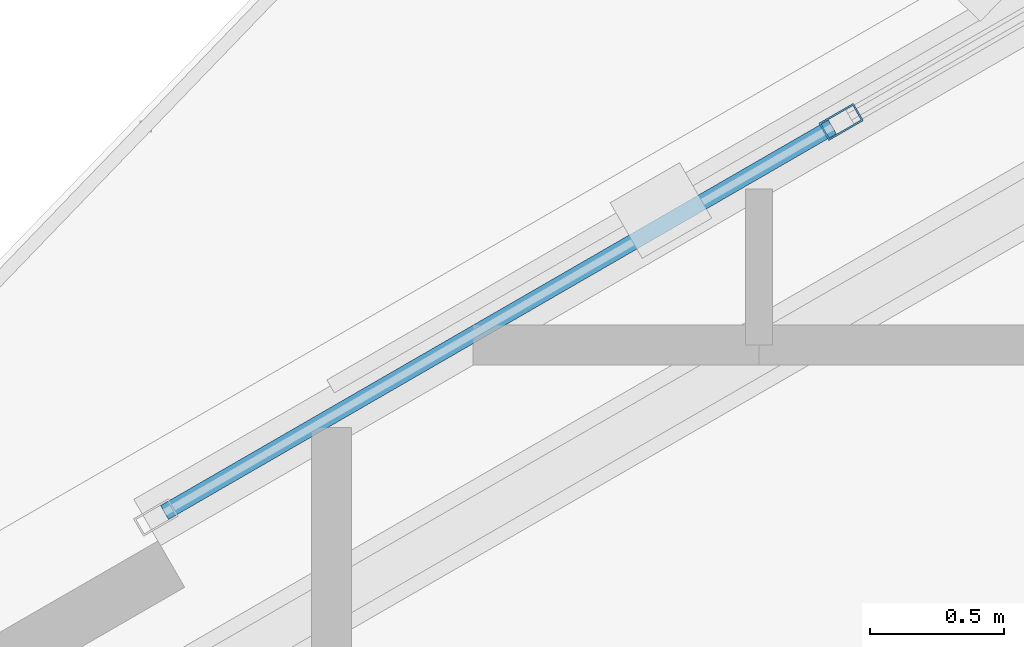
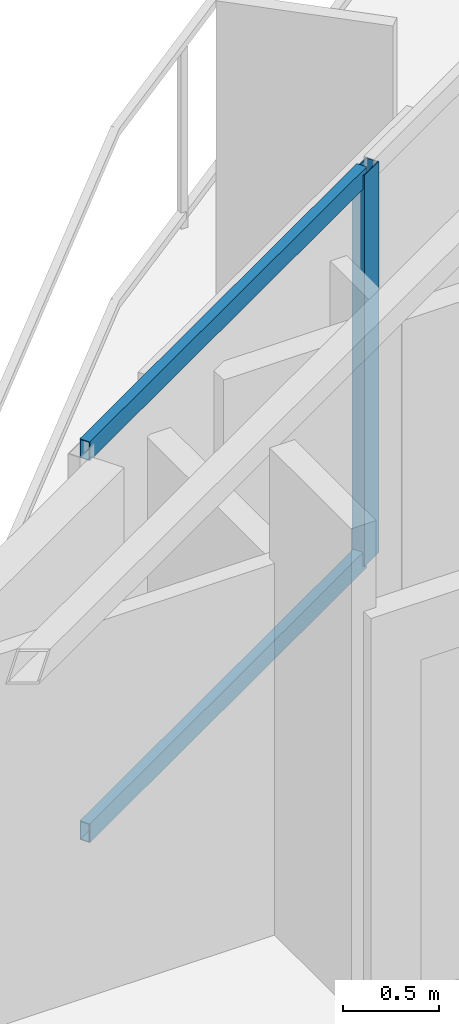
# One storey, part 8 of 22: 3 members, 1 element without a shape of its own.
"""IFC4 building model written with IfcOpenShell, lengths in metres."""

import ifcopenshell
import ifcopenshell.guid

model = None  # the IFC model being written
_history = None  # IfcOwnerHistory: only IFC2X3 demands one
_inside = {}  # id of a spatial element -> (the spatial element, [elements in it])
_under = {}  # id of a project, library or spatial element -> (it, [spatial elements below it])
_declared = {}  # id of a project -> (the project, [libraries it declares])
_typed = {}  # id of a type object -> (the type object, [elements of that type])
_made_of = {}  # id of a material, layer set ... -> (it, [elements and type objects made of it])


def new_model(schema):
    """Start an empty IFC model of exactly this schema.

    Asked for "IFC4X3", IfcOpenShell would pick the latest addendum, in which some entities
    have other attributes; the version numbers below select the first issue.
    IFC2X3 requires an IfcOwnerHistory on every rooted entity: one is made here for all.
    """
    global model, _history
    if schema == "IFC4X3":
        model = ifcopenshell.file(schema_version=(4, 3, 0, 0))
    else:
        model = ifcopenshell.file(schema=schema)
    _inside.clear()
    _under.clear()
    _declared.clear()
    _typed.clear()
    _made_of.clear()
    _history = None
    if model.schema == "IFC2X3":
        org = make("IfcOrganization", Name="unknown")
        user = make(
            "IfcPersonAndOrganization",
            ThePerson=make("IfcPerson", FamilyName="unknown"),
            TheOrganization=org,
        )
        app = make(
            "IfcApplication",
            ApplicationDeveloper=org,
            Version="unknown",
            ApplicationFullName="unknown",
            ApplicationIdentifier="unknown",
        )
        _history = make(
            "IfcOwnerHistory",
            OwningUser=user,
            OwningApplication=app,
            ChangeAction="ADDED",
            CreationDate=0,
        )
    return model


def make(cls, **values):
    """One entity of the class cls with the attributes given. An attribute that is None is left unset."""
    return model.create_entity(
        cls, **{name: value for name, value in values.items() if value is not None}
    )


def rooted(cls, **values):
    """An entity with a GlobalId (a new one), such as an element, a storey or a relation."""
    return make(cls, GlobalId=ifcopenshell.guid.new(), OwnerHistory=_history, **values)


def si_unit(unit_type, name, prefix=None):
    """IfcSIUnit, for example si_unit("LENGTHUNIT", "METRE", prefix="MILLI")."""
    return make("IfcSIUnit", UnitType=unit_type, Prefix=prefix, Name=name)


def assignment(units):
    """IfcUnitAssignment: the units of a project."""
    return None if units is None else make("IfcUnitAssignment", Units=units)


def point(xyz):
    """IfcCartesianPoint."""
    return None if xyz is None else make("IfcCartesianPoint", Coordinates=xyz)


def direction(xyz):
    """IfcDirection."""
    return None if xyz is None else make("IfcDirection", DirectionRatios=xyz)


def frame(location, z_axis=None, x_axis=None):
    """IfcAxis2Placement3D, a coordinate frame: its origin and axes. An axis left out is left unset."""
    return make(
        "IfcAxis2Placement3D",
        Location=point(location),
        Axis=direction(z_axis),
        RefDirection=direction(x_axis),
    )


def frame_2d(location, x_axis=None):
    """IfcAxis2Placement2D, a coordinate frame in the plane: its origin and x axis."""
    return make(
        "IfcAxis2Placement2D", Location=point(location), RefDirection=direction(x_axis)
    )


def origin():
    """The frame at (0, 0, 0) with its axes left unset."""
    return frame((0.0, 0.0, 0.0))


def origin_2d():
    """The frame at (0, 0) in the plane with its x axis left unset."""
    return frame_2d((0.0, 0.0))


def place(relative_to, where):
    """IfcLocalPlacement: puts the frame where relative to a parent placement (None: the world)."""
    return make(
        "IfcLocalPlacement", PlacementRelTo=relative_to, RelativePlacement=where
    )


def context(
    kind, dimensions, precision=None, world=None, true_north=None, identifier=None
):
    """IfcGeometricRepresentationContext, for example the 3D "Model" context."""
    return make(
        "IfcGeometricRepresentationContext",
        ContextIdentifier=identifier,
        ContextType=kind,
        CoordinateSpaceDimension=dimensions,
        Precision=precision,
        WorldCoordinateSystem=world,
        TrueNorth=true_north,
    )


def subcontext(parent, identifier, kind, view, scale=None):
    """IfcGeometricRepresentationSubContext, for example "Body" below "Model"."""
    return make(
        "IfcGeometricRepresentationSubContext",
        ContextIdentifier=identifier,
        ContextType=kind,
        ParentContext=parent,
        TargetScale=scale,
        TargetView=view,
    )


def project(units=None, contexts=None):
    """IfcProject with its units and contexts."""
    return rooted(
        "IfcProject",
        Name="project",
        RepresentationContexts=contexts,
        UnitsInContext=assignment(units),
    )


def spatial(cls, under=None, at=None, **own):
    """A site, building, storey or space (cls), placed at a placement, below another one or the project."""
    s = rooted(cls, ObjectPlacement=at, **own)
    if under is not None:
        _under.setdefault(under.id(), (under, []))[1].append(s)
    return s


def profile(cls, at=None, kind="AREA", **sizes):
    """A parametric profile (cls). Its sizes go by their IFC names, for example OverallWidth=200.0."""
    return make(cls, ProfileType=kind, Position=at, **sizes)


def hollow_rectangle(**sizes):
    """IfcRectangleHollowProfileDef."""
    return profile("IfcRectangleHollowProfileDef", **sizes)


def extrude(swept, where, along, depth):
    """IfcExtrudedAreaSolid: the profile swept, set in the frame where, extruded along a direction by depth."""
    return make(
        "IfcExtrudedAreaSolid",
        SweptArea=swept,
        Position=where,
        ExtrudedDirection=direction(along),
        Depth=depth,
    )


def shape(context_of_items, identifier, shape_type, items):
    """IfcShapeRepresentation: the items that make up one representation, for example the "Body"."""
    return make(
        "IfcShapeRepresentation",
        ContextOfItems=context_of_items,
        RepresentationIdentifier=identifier,
        RepresentationType=shape_type,
        Items=items,
    )


def material(Name=None, Category=None):
    """IfcMaterial."""
    return make("IfcMaterial", Name=Name, Category=Category)


def layer(
    of_material, thickness, ventilated=None, Name=None, Category=None, Priority=None
):
    """IfcMaterialLayer: one layer of a wall or slab, of a material (None: an air gap)."""
    return make(
        "IfcMaterialLayer",
        Material=of_material,
        LayerThickness=thickness,
        IsVentilated=ventilated,
        Name=Name,
        Category=Category,
        Priority=Priority,
    )


def layer_set(layers, Name=None):
    """IfcMaterialLayerSet."""
    return make("IfcMaterialLayerSet", MaterialLayers=layers, LayerSetName=Name)


def material_profile(
    of_material, cross_section, Name=None, Category=None, Priority=None
):
    """IfcMaterialProfile: a cross section and its material."""
    return make(
        "IfcMaterialProfile",
        Name=Name,
        Material=of_material,
        Profile=cross_section,
        Priority=Priority,
        Category=Category,
    )


def profile_set(profiles, Name=None, composite=None):
    """IfcMaterialProfileSet."""
    return make(
        "IfcMaterialProfileSet",
        Name=Name,
        MaterialProfiles=profiles,
        CompositeProfile=composite,
    )


def made_of(thing, what):
    """Note that an element or type object is made of a material, layer set ...; save() writes the relation."""
    if what is not None:
        _made_of.setdefault(what.id(), (what, []))[1].append(thing)
    return thing


def type_object(cls, material=None, **own):
    """A type object (cls), such as IfcWallType, which elements share."""
    return made_of(rooted(cls, **own), material)


def element(
    cls,
    number,
    at=None,
    inside=None,
    cuts=None,
    type_object=None,
    material=None,
    context=None,
    identifier="Body",
    shape_type=None,
    held_by="IfcProductDefinitionShape",
    body=None,
    shapes=None,
    **own,
):
    """One element of the class cls, such as IfcWall. Its Tag is "e" and its number.

    at: its placement. inside: the storey or other place that contains it. cuts: it is an
    opening in that element (IfcRelVoidsElement). A single representation is given by context,
    identifier, shape_type and body (its items); several are given by shapes. held_by: the class
    of the entity that holds the representations. save() writes the other relations.
    """
    e = rooted(cls, Tag="e%d" % number, ObjectPlacement=at, **own)
    if body is not None:
        shapes = [shape(context, identifier, shape_type, body)]
    if shapes is not None:
        e.Representation = make(held_by, Representations=shapes)
    if inside is not None:
        _inside.setdefault(inside.id(), (inside, []))[1].append(e)
    if cuts is not None:
        rooted(
            "IfcRelVoidsElement", RelatingBuildingElement=cuts, RelatedOpeningElement=e
        )
    if type_object is not None:
        _typed.setdefault(type_object.id(), (type_object, []))[1].append(e)
    return made_of(e, material)


def aggregate(whole, parts):
    """IfcRelAggregates: a whole, such as a stair, and the parts it consists of."""
    return rooted("IfcRelAggregates", RelatingObject=whole, RelatedObjects=parts)


def save(model, path):
    """Write the relations noted so far, then the file.

    IfcRelAggregates (storeys below a building ...), IfcRelContainedInSpatialStructure (elements
    in a storey), IfcRelDefinesByType, IfcRelAssociatesMaterial and IfcRelDeclares: one each for
    every whole, place, type object, material and project.
    """
    for whole, parts in _under.values():
        aggregate(whole, parts)
    for where, things in _inside.values():
        rooted(
            "IfcRelContainedInSpatialStructure",
            RelatedElements=things,
            RelatingStructure=where,
        )
    for kind, things in _typed.values():
        rooted("IfcRelDefinesByType", RelatedObjects=things, RelatingType=kind)
    for what, things in _made_of.values():
        rooted("IfcRelAssociatesMaterial", RelatedObjects=things, RelatingMaterial=what)
    for by, libraries in _declared.values():
        rooted("IfcRelDeclares", RelatingContext=by, RelatedDefinitions=libraries)
    model.write(path)


model = new_model("IFC4")

# Units and contexts
model_context = context("Model", 3, precision=1e-05, world=origin(), true_north=direction((0.0, 1.0)))
body_context = subcontext(model_context, "Body", "Model", "MODEL_VIEW")
ifc_project = project(units=[si_unit("LENGTHUNIT", "METRE"), si_unit("AREAUNIT", "SQUARE_METRE"), si_unit("VOLUMEUNIT", "CUBIC_METRE"), si_unit("PLANEANGLEUNIT", "RADIAN"), si_unit("MASSUNIT", "GRAM", prefix="KILO")], contexts=[model_context])

# Site, building, storey
site_placement = place(None, origin())
site = spatial("IfcSite", under=ifc_project, at=site_placement, CompositionType="ELEMENT")
building_placement = place(site_placement, origin())
building = spatial("IfcBuilding", under=site, at=building_placement, Name="Mersakhor Tower and Convention Hall", CompositionType="ELEMENT")
storey_placement = place(building_placement, frame((0.0, 0.0, 205.199951171875)))
storey = spatial("IfcBuildingStorey", under=building, at=storey_placement, Name="L57", CompositionType="ELEMENT", Elevation=205.199951171875)

# Curtain wall, members
ifc_material_1 = material(Name="Dark solar low-E aluminium curtain wall", Category="aluminium")
ifc_layer = layer(ifc_material_1, 0.169921875)
ifc_layer_set = layer_set([ifc_layer], Name="Dark solar low-E aluminium curtain wall")
curtain_wall_type = type_object("IfcCurtainWallType", Name="CW-SYS-02", PredefinedType="USERDEFINED", material=ifc_layer_set)
curtain_wall_placement = place(storey_placement, origin())
curtain_wall = element("IfcCurtainWall", 1, at=curtain_wall_placement, inside=storey, type_object=curtain_wall_type, Name="L57 Dark-Glass Curtain Wall F1-B2", ObjectType="CURTAIN WALL", PredefinedType="USERDEFINED")
ifc_material_2 = material(Name="Anodised aluminium EN AW-6063 T6", Category="aluminium")
ifc_material_profile_1 = material_profile(ifc_material_2, hollow_rectangle(XDim=0.074951171875, YDim=0.14990234375, WallThickness=0.00634765625, at=origin_2d()), Name="RHS 150x75x6.3")
ifc_profile_set_1 = profile_set([ifc_material_profile_1], Name="Anodised aluminium EN AW-6063 T6")
member_type_1 = type_object("IfcMemberType", Name="CWM-150x75", PredefinedType="MULLION", material=ifc_profile_set_1)
member_1_placement = place(storey_placement, frame((21.906982421875, 36.035888671875, 0.199951171875), z_axis=(0.0, 0.0, 1.0), x_axis=(-0.500007824483, 0.86602088627, 0.0)))
member_1 = element("IfcMember", 2, at=member_1_placement, type_object=member_type_1, Name="CW-02 mullion 2", PredefinedType="MULLION", context=body_context, shape_type="SweptSolid", body=[
    extrude(hollow_rectangle(XDim=0.074951171875, YDim=0.14990234375, WallThickness=0.00634765625, at=origin_2d()), origin(), (0.0, 0.0, 1.0), 2.489990234375),
])
ifc_material_3 = material(Name="Anodised aluminium EN AW-6063 T6", Category="aluminium")
ifc_material_profile_2 = material_profile(ifc_material_3, hollow_rectangle(XDim=0.06005859375, YDim=0.1201171875, WallThickness=0.0048828125, at=origin_2d()), Name="RHS 120x60x5")
ifc_profile_set_2 = profile_set([ifc_material_profile_2], Name="Anodised aluminium EN AW-6063 T6")
member_type_2 = type_object("IfcMemberType", Name="CWT-120x60", PredefinedType="USERDEFINED", material=ifc_profile_set_2)
member_2_placement = place(storey_placement, frame((19.374267578125, 34.573486328125, 0.22998046875), z_axis=(0.86601237176, 0.50002257145, 0.0), x_axis=(-0.50002257145, 0.86601237176, 0.0)))
member_2 = element("IfcMember", 3, at=member_2_placement, type_object=member_type_2, Name="CW-02 transom 1.1", ObjectType="TRANSOM", PredefinedType="USERDEFINED", context=body_context, shape_type="SweptSolid", body=[
    extrude(hollow_rectangle(XDim=0.06005859375, YDim=0.1201171875, WallThickness=0.0048828125, at=origin_2d()), origin(), (0.0, 0.0, 1.0), 2.886962890625),
])
member_3_placement = place(storey_placement, frame((19.374267578125, 34.573486328125, 2.66015625), z_axis=(0.86601237176, 0.50002257145, 0.0), x_axis=(-0.50002257145, 0.86601237176, 0.0)))
member_3 = element("IfcMember", 4, at=member_3_placement, type_object=member_type_2, Name="CW-02 transom 1.2", ObjectType="TRANSOM", PredefinedType="USERDEFINED", context=body_context, shape_type="SweptSolid", body=[
    extrude(hollow_rectangle(XDim=0.06005859375, YDim=0.1201171875, WallThickness=0.0048828125, at=origin_2d()), origin(), (0.0, 0.0, 1.0), 2.886962890625),
])
aggregate(curtain_wall, [member_1, member_2, member_3])

save(model, "model.ifc")
